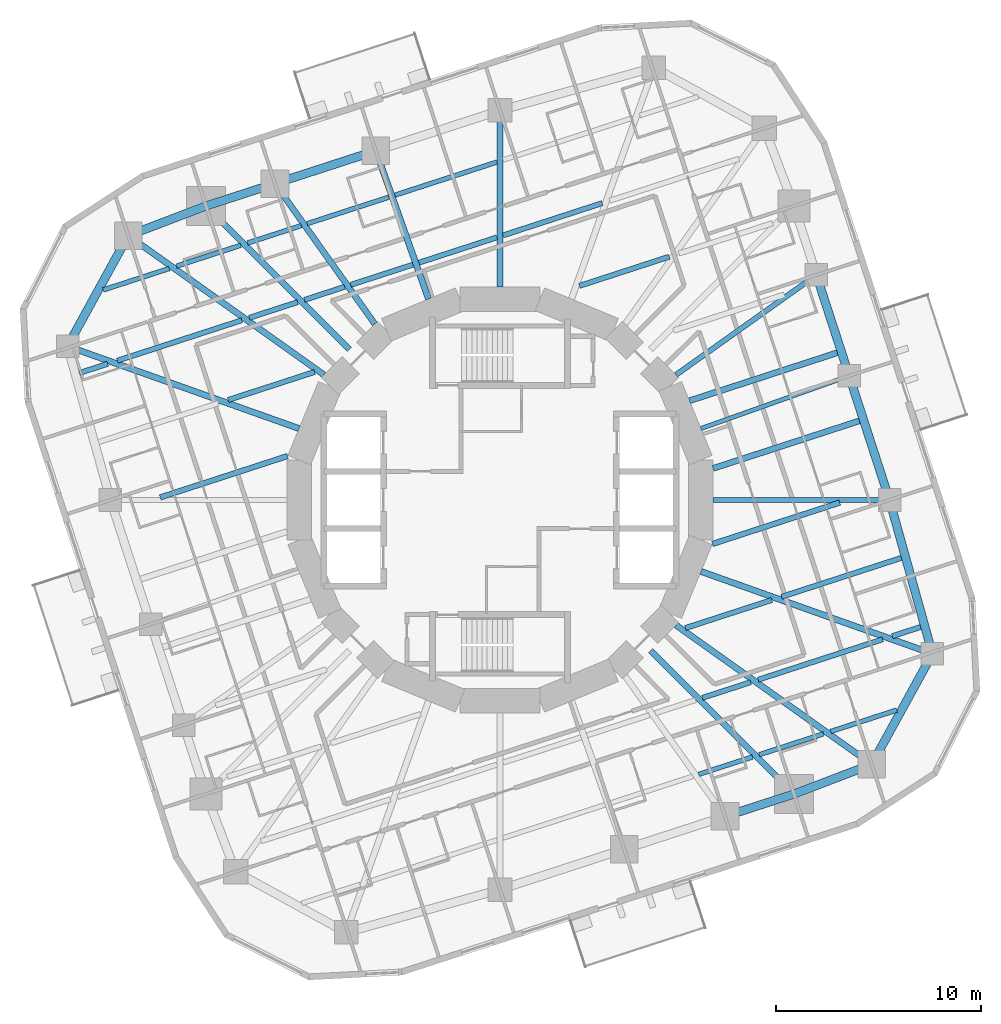
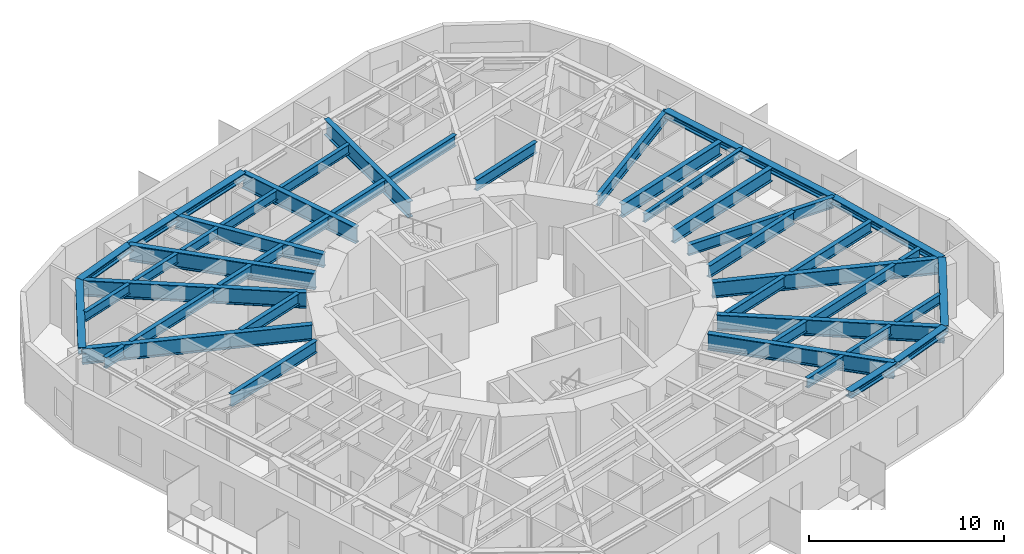
# One storey, part 2 of 12: 38 beams, 10 members.
"""IFC4 building model written with IfcOpenShell, lengths in metres."""

from ifc_helpers import new_model, si_unit, direction, frame, origin, origin_2d, place, context, subcontext, project, spatial, i_section, extrude, material, material_profile, profile_set, type_object, element, save


model = new_model("IFC4")

# Units and contexts
model_context = context("Model", 3, precision=1e-05, world=origin(), true_north=direction((0.0, 1.0)))
body_context = subcontext(model_context, "Body", "Model", "MODEL_VIEW")
ifc_project = project(units=[si_unit("LENGTHUNIT", "METRE"), si_unit("AREAUNIT", "SQUARE_METRE"), si_unit("VOLUMEUNIT", "CUBIC_METRE"), si_unit("PLANEANGLEUNIT", "RADIAN"), si_unit("MASSUNIT", "GRAM", prefix="KILO")], contexts=[model_context])

# Site, building, storey
site_placement = place(None, origin())
site = spatial("IfcSite", under=ifc_project, at=site_placement, CompositionType="ELEMENT")
building_placement = place(site_placement, origin())
building = spatial("IfcBuilding", under=site, at=building_placement, Name="Nakasero Lantern House", CompositionType="ELEMENT")
storey_placement = place(building_placement, frame((0.0, 0.0, 172.60009765625)))
storey = spatial("IfcBuildingStorey", under=building, at=storey_placement, Name="L42", CompositionType="ELEMENT", Elevation=172.60009765625)

# Members
ifc_material_1 = material(Name="Steel S355", Category="steel")
ifc_material_profile_1 = material_profile(ifc_material_1, i_section(OverallWidth=0.412109375, OverallDepth=0.4365234375, WebThickness=0.035888671875, FlangeThickness=0.05810546875, FilletRadius=0.01513671875, at=origin_2d()), Name="UC 356x406x467")
ifc_profile_set_1 = profile_set([ifc_material_profile_1], Name="Steel S355")
member_type = type_object("IfcMemberType", Name="Belt truss chord UC 356x406x467", PredefinedType="CHORD", material=ifc_profile_set_1)
member_1_placement = place(storey_placement, frame((18.1630859375, -12.916015625, 3.431640625), z_axis=(0.481261795861, 0.876576912681, 0.0), x_axis=(-0.876576912681, 0.481261795861, 0.0)))
element("IfcMember", 1, at=member_1_placement, inside=storey, type_object=member_type, Name="Belt truss bottom chord T4 B4-C01", PredefinedType="CHORD", context=body_context, shape_type="SweptSolid", body=[
    extrude(i_section(OverallWidth=0.412109375, OverallDepth=0.4365234375, WebThickness=0.035888671875, FlangeThickness=0.05810546875, FilletRadius=0.01513671875, at=origin_2d()), origin(), (0.0, 0.0, 1.0), 6.1640625),
])
member_2_placement = place(storey_placement, frame((21.129638671875, -7.5126953125, 3.431640625), z_axis=(-0.268986696047, 0.963143892339, 0.0), x_axis=(-0.963143892339, -0.268986696047, 0.0)))
element("IfcMember", 2, at=member_2_placement, inside=storey, type_object=member_type, Name="Belt truss bottom chord T4 B4-C02", PredefinedType="CHORD", context=body_context, shape_type="SweptSolid", body=[
    extrude(i_section(OverallWidth=0.412109375, OverallDepth=0.4365234375, WebThickness=0.035888671875, FlangeThickness=0.05810546875, FilletRadius=0.01513671875, at=origin_2d()), origin(), (0.0, 0.0, 1.0), 7.80029296875),
])
member_3_placement = place(storey_placement, frame((19.031494140625, 0.0, 3.431640625), z_axis=(-0.309018560274, 0.951056007502, 0.0), x_axis=(-0.951056007502, -0.309018560274, 0.0)))
element("IfcMember", 3, at=member_3_placement, inside=storey, type_object=member_type, Name="Belt truss bottom chord T4 B4-C03", PredefinedType="CHORD", context=body_context, shape_type="SweptSolid", body=[
    extrude(i_section(OverallWidth=0.412109375, OverallDepth=0.4365234375, WebThickness=0.035888671875, FlangeThickness=0.05810546875, FilletRadius=0.01513671875, at=origin_2d()), origin(), (0.0, 0.0, 1.0), 6.378173828125),
])
for number, where, z_axis, x_axis, name in (
    (4, (17.060546875, 6.06591796875, 3.431640625), (-0.309023207396, 0.95105449754, 0.0), (-0.95105449754, -0.309023207396, 0.0), "Belt truss bottom chord T4 B4-C04"),
    (5, (-6.06591796875, 17.060546875, 3.431640625), (-0.95105449754, -0.309023207396, 0.0), (0.309023207396, -0.95105449754, 0.0), "Belt truss bottom chord T4 B4-C10"),
):
    element("IfcMember", number, at=place(storey_placement, frame(where, z_axis=z_axis, x_axis=x_axis)), inside=storey, type_object=member_type, Name=name, PredefinedType="CHORD", context=body_context, shape_type="SweptSolid", body=[
        extrude(i_section(OverallWidth=0.412109375, OverallDepth=0.4365234375, WebThickness=0.035888671875, FlangeThickness=0.05810546875, FilletRadius=0.01513671875, at=origin_2d()), origin(), (0.0, 0.0, 1.0), 5.18115234375),
    ])
member_4_placement = place(storey_placement, frame((-10.993408203125, 15.45947265625, 3.431640625), z_axis=(-0.951059881727, -0.309006636447, 0.0), x_axis=(0.309006636447, -0.951059881727, 0.0)))
element("IfcMember", 6, at=member_4_placement, inside=storey, type_object=member_type, Name="Belt truss bottom chord T4 B4-C11", PredefinedType="CHORD", context=body_context, shape_type="SweptSolid", body=[
    extrude(i_section(OverallWidth=0.412109375, OverallDepth=0.4365234375, WebThickness=0.035888671875, FlangeThickness=0.05810546875, FilletRadius=0.01513671875, at=origin_2d()), origin(), (0.0, 0.0, 1.0), 3.544189453125),
])
member_5_placement = place(storey_placement, frame((-14.3642578125, 14.3642578125, 3.431640625), z_axis=(-0.934400186194, -0.35622505813, 0.0), x_axis=(0.35622505813, -0.934400186194, 0.0)))
element("IfcMember", 7, at=member_5_placement, inside=storey, type_object=member_type, Name="Belt truss bottom chord T4 B4-C12", PredefinedType="CHORD", context=body_context, shape_type="SweptSolid", body=[
    extrude(i_section(OverallWidth=0.412109375, OverallDepth=0.4365234375, WebThickness=0.035888671875, FlangeThickness=0.05810546875, FilletRadius=0.01513671875, at=origin_2d()), origin(), (0.0, 0.0, 1.0), 4.0654296875),
])
member_6_placement = place(storey_placement, frame((-18.1630859375, 12.916015625, 3.431640625), z_axis=(-0.481261795861, -0.876576912681, 0.0), x_axis=(0.876576912681, -0.481261795861, 0.0)))
element("IfcMember", 8, at=member_6_placement, inside=storey, type_object=member_type, Name="Belt truss bottom chord T4 B4-C13", PredefinedType="CHORD", context=body_context, shape_type="SweptSolid", body=[
    extrude(i_section(OverallWidth=0.412109375, OverallDepth=0.4365234375, WebThickness=0.035888671875, FlangeThickness=0.05810546875, FilletRadius=0.01513671875, at=origin_2d()), origin(), (0.0, 0.0, 1.0), 6.1640625),
])
member_7_placement = place(storey_placement, frame((10.993408203125, -15.45947265625, 3.431640625), z_axis=(0.951059881727, 0.309006636447, 0.0), x_axis=(-0.309006636447, 0.951059881727, 0.0)))
element("IfcMember", 9, at=member_7_placement, inside=storey, type_object=member_type, Name="Belt truss bottom chord T4 B4-C23", PredefinedType="CHORD", context=body_context, shape_type="SweptSolid", body=[
    extrude(i_section(OverallWidth=0.412109375, OverallDepth=0.4365234375, WebThickness=0.035888671875, FlangeThickness=0.05810546875, FilletRadius=0.01513671875, at=origin_2d()), origin(), (0.0, 0.0, 1.0), 3.544189453125),
])
member_8_placement = place(storey_placement, frame((14.3642578125, -14.3642578125, 3.431640625), z_axis=(0.934400186194, 0.35622505813, 0.0), x_axis=(-0.35622505813, 0.934400186194, 0.0)))
element("IfcMember", 10, at=member_8_placement, inside=storey, type_object=member_type, Name="Belt truss bottom chord T4 B4-C24", PredefinedType="CHORD", context=body_context, shape_type="SweptSolid", body=[
    extrude(i_section(OverallWidth=0.412109375, OverallDepth=0.4365234375, WebThickness=0.035888671875, FlangeThickness=0.05810546875, FilletRadius=0.01513671875, at=origin_2d()), origin(), (0.0, 0.0, 1.0), 4.0654296875),
])

# Beams
ifc_material_2 = material(Name="Steel S355", Category="steel")
ifc_material_profile_2 = material_profile(ifc_material_2, i_section(OverallWidth=0.22900390625, OverallDepth=0.6123046875, WebThickness=0.011962890625, FlangeThickness=0.01953125, FilletRadius=0.0126953125, at=origin_2d()), Name="UB 610x229x125")
ifc_profile_set_2 = profile_set([ifc_material_profile_2], Name="Steel S355")
beam_type_1 = type_object("IfcBeamType", Name="Infill beam UB 610x229x125", PredefinedType="JOIST", material=ifc_profile_set_2)
beam_1_placement = place(storey_placement, frame((9.7119140625, -13.405029296875, 3.34375), z_axis=(0.951045121564, 0.309052061552, 0.0), x_axis=(-0.309052061552, 0.951045121564, 0.0)))
element("IfcBeam", 11, at=beam_1_placement, inside=storey, type_object=beam_type_1, Name="Infill beam L43 03.5", PredefinedType="JOIST", context=body_context, shape_type="SweptSolid", body=[
    extrude(i_section(OverallWidth=0.22900390625, OverallDepth=0.6123046875, WebThickness=0.011962890625, FlangeThickness=0.01953125, FilletRadius=0.0126953125, at=origin_2d()), origin(), (0.0, 0.0, 1.0), 2.75927734375),
])
beam_2_placement = place(storey_placement, frame((12.662353515625, -12.4462890625, 3.34375), z_axis=(0.951055771678, 0.309019286062, 0.0), x_axis=(-0.309019286062, 0.951055771678, 0.0)))
element("IfcBeam", 12, at=beam_2_placement, inside=storey, type_object=beam_type_1, Name="Infill beam L43 03.6", PredefinedType="JOIST", context=body_context, shape_type="SweptSolid", body=[
    extrude(i_section(OverallWidth=0.22900390625, OverallDepth=0.6123046875, WebThickness=0.011962890625, FlangeThickness=0.01953125, FilletRadius=0.0126953125, at=origin_2d()), origin(), (0.0, 0.0, 1.0), 3.306396484375),
])
for number, where, z_axis, x_axis, name in (
    (13, (16.162353515625, -11.30908203125, 3.34375), (0.951062125185, 0.308999731454, 0.0), (-0.308999731454, 0.951062125185, 0.0), "Infill beam L43 03.7"),
    (14, (-19.38525390625, 10.261962890625, 3.34375), (0.951062125185, 0.308999731454, 0.0), (-0.308999731454, 0.951062125185, 0.0), "Infill beam L43 12.1"),
):
    element("IfcBeam", number, at=place(storey_placement, frame(where, z_axis=z_axis, x_axis=x_axis)), inside=storey, type_object=beam_type_1, Name=name, PredefinedType="JOIST", context=body_context, shape_type="SweptSolid", body=[
        extrude(i_section(OverallWidth=0.22900390625, OverallDepth=0.6123046875, WebThickness=0.011962890625, FlangeThickness=0.01953125, FilletRadius=0.0126953125, at=origin_2d()), origin(), (0.0, 0.0, 1.0), 3.388671875),
    ])
beam_3_placement = place(storey_placement, frame((-15.806884765625, 11.424560546875, 3.34375), z_axis=(0.951055771678, 0.309019286062, 0.0), x_axis=(-0.309019286062, 0.951055771678, 0.0)))
element("IfcBeam", 15, at=beam_3_placement, inside=storey, type_object=beam_type_1, Name="Infill beam L43 12.2", PredefinedType="JOIST", context=body_context, shape_type="SweptSolid", body=[
    extrude(i_section(OverallWidth=0.22900390625, OverallDepth=0.6123046875, WebThickness=0.011962890625, FlangeThickness=0.01953125, FilletRadius=0.0126953125, at=origin_2d()), origin(), (0.0, 0.0, 1.0), 3.306396484375),
])
beam_4_placement = place(storey_placement, frame((-12.336181640625, 12.55224609375, 3.34375), z_axis=(0.951045121564, 0.309052061552, 0.0), x_axis=(-0.309052061552, 0.951045121564, 0.0)))
element("IfcBeam", 16, at=beam_4_placement, inside=storey, type_object=beam_type_1, Name="Infill beam L43 12.3", PredefinedType="JOIST", context=body_context, shape_type="SweptSolid", body=[
    extrude(i_section(OverallWidth=0.22900390625, OverallDepth=0.6123046875, WebThickness=0.011962890625, FlangeThickness=0.01953125, FilletRadius=0.0126953125, at=origin_2d()), origin(), (0.0, 0.0, 1.0), 2.75927734375),
])
beam_5_placement = place(storey_placement, frame((-9.42041015625, 13.499755859375, 3.34375), z_axis=(0.951060098043, 0.309005970671, 0.0), x_axis=(-0.309005970671, 0.951060098043, 0.0)))
element("IfcBeam", 17, at=beam_5_placement, inside=storey, type_object=beam_type_1, Name="Infill beam L43 12.4", PredefinedType="JOIST", context=body_context, shape_type="SweptSolid", body=[
    extrude(i_section(OverallWidth=0.22900390625, OverallDepth=0.6123046875, WebThickness=0.011962890625, FlangeThickness=0.01953125, FilletRadius=0.0126953125, at=origin_2d()), origin(), (0.0, 0.0, 1.0), 4.2041015625),
])
beam_6_placement = place(storey_placement, frame((-5.134765625, 14.89208984375, 3.34375), z_axis=(0.951059395916, 0.309008131673, 0.0), x_axis=(-0.309008131673, 0.951059395916, 0.0)))
element("IfcBeam", 18, at=beam_6_placement, inside=storey, type_object=beam_type_1, Name="Infill beam L43 12.5", PredefinedType="JOIST", context=body_context, shape_type="SweptSolid", body=[
    extrude(i_section(OverallWidth=0.22900390625, OverallDepth=0.6123046875, WebThickness=0.011962890625, FlangeThickness=0.01953125, FilletRadius=0.0126953125, at=origin_2d()), origin(), (0.0, 0.0, 1.0), 5.241455078125),
])
ifc_material_3 = material(Name="Steel S355", Category="steel")
ifc_material_profile_3 = material_profile(ifc_material_3, i_section(OverallWidth=0.253662109375, OverallDepth=0.68359375, WebThickness=0.012451171875, FlangeThickness=0.01904296875, FilletRadius=0.01513671875, at=origin_2d()), Name="UB 686x254x140")
ifc_profile_set_3 = profile_set([ifc_material_profile_3], Name="Steel S355")
beam_type_2 = type_object("IfcBeamType", Name="Infill beam UB 686x254x140", PredefinedType="JOIST", material=ifc_profile_set_3)
beam_7_placement = place(storey_placement, frame((9.884765625, -9.668701171875, 3.30810546875), z_axis=(0.951065741095, 0.308988601917, 0.0), x_axis=(-0.308988601917, 0.951065741095, 0.0)))
element("IfcBeam", 19, at=beam_7_placement, inside=storey, type_object=beam_type_2, Name="Infill beam L43 04.6", PredefinedType="JOIST", context=body_context, shape_type="SweptSolid", body=[
    extrude(i_section(OverallWidth=0.253662109375, OverallDepth=0.68359375, WebThickness=0.012451171875, FlangeThickness=0.01904296875, FilletRadius=0.01513671875, at=origin_2d()), origin(), (0.0, 0.0, 1.0), 2.491943359375),
])
beam_8_placement = place(storey_placement, frame((12.610107421875, -8.783203125, 3.30810546875), z_axis=(0.951052575946, 0.309029121259, 0.0), x_axis=(-0.309029121259, 0.951052575946, 0.0)))
element("IfcBeam", 20, at=beam_8_placement, inside=storey, type_object=beam_type_2, Name="Infill beam L43 04.7", PredefinedType="JOIST", context=body_context, shape_type="SweptSolid", body=[
    extrude(i_section(OverallWidth=0.253662109375, OverallDepth=0.68359375, WebThickness=0.012451171875, FlangeThickness=0.01904296875, FilletRadius=0.01513671875, at=origin_2d()), origin(), (0.0, 0.0, 1.0), 6.397705078125),
])
for number, where, z_axis, x_axis, name in (
    (21, (19.16259765625, -6.654052734375, 3.30810546875), (0.951082021837, 0.308938485362, 0.0), (-0.308938485362, 0.951082021837, 0.0), "Infill beam L43 04.8"),
    (22, (-20.550048828125, 6.203369140625, 3.30810546875), (0.951082021837, 0.308938485362, 0.0), (-0.308938485362, 0.951082021837, 0.0), "Infill beam L43 11.1"),
):
    element("IfcBeam", number, at=place(storey_placement, frame(where, z_axis=z_axis, x_axis=x_axis)), inside=storey, type_object=beam_type_2, Name=name, PredefinedType="JOIST", context=body_context, shape_type="SweptSolid", body=[
        extrude(i_section(OverallWidth=0.253662109375, OverallDepth=0.68359375, WebThickness=0.012451171875, FlangeThickness=0.01904296875, FilletRadius=0.01513671875, at=origin_2d()), origin(), (0.0, 0.0, 1.0), 1.458740234375),
    ])
beam_9_placement = place(storey_placement, frame((-18.694580078125, 6.80615234375, 3.30810546875), z_axis=(0.951052575946, 0.309029121259, 0.0), x_axis=(-0.309029121259, 0.951052575946, 0.0)))
element("IfcBeam", 23, at=beam_9_placement, inside=storey, type_object=beam_type_2, Name="Infill beam L43 11.2", PredefinedType="JOIST", context=body_context, shape_type="SweptSolid", body=[
    extrude(i_section(OverallWidth=0.253662109375, OverallDepth=0.68359375, WebThickness=0.012451171875, FlangeThickness=0.01904296875, FilletRadius=0.01513671875, at=origin_2d()), origin(), (0.0, 0.0, 1.0), 6.397705078125),
])
beam_10_placement = place(storey_placement, frame((-12.2548828125, 8.898681640625, 3.30810546875), z_axis=(0.951065741095, 0.308988601917, 0.0), x_axis=(-0.308988601917, 0.951065741095, 0.0)))
element("IfcBeam", 24, at=beam_10_placement, inside=storey, type_object=beam_type_2, Name="Infill beam L43 11.3", PredefinedType="JOIST", context=body_context, shape_type="SweptSolid", body=[
    extrude(i_section(OverallWidth=0.253662109375, OverallDepth=0.68359375, WebThickness=0.012451171875, FlangeThickness=0.01904296875, FilletRadius=0.01513671875, at=origin_2d()), origin(), (0.0, 0.0, 1.0), 2.491943359375),
])
beam_11_placement = place(storey_placement, frame((-9.55859375, 9.774658203125, 3.30810546875), z_axis=(0.951068662766, 0.308979608881, 0.0), x_axis=(-0.308979608881, 0.951068662766, 0.0)))
element("IfcBeam", 25, at=beam_11_placement, inside=storey, type_object=beam_type_2, Name="Infill beam L43 11.4", PredefinedType="JOIST", context=body_context, shape_type="SweptSolid", body=[
    extrude(i_section(OverallWidth=0.253662109375, OverallDepth=0.68359375, WebThickness=0.012451171875, FlangeThickness=0.01904296875, FilletRadius=0.01513671875, at=origin_2d()), origin(), (0.0, 0.0, 1.0), 2.07421875),
])
beam_12_placement = place(storey_placement, frame((-7.294677734375, 10.51025390625, 3.30810546875), z_axis=(0.951064877985, 0.308991258555, 0.0), x_axis=(-0.308991258555, 0.951064877985, 0.0)))
element("IfcBeam", 26, at=beam_12_placement, inside=storey, type_object=beam_type_2, Name="Infill beam L43 11.5", PredefinedType="JOIST", context=body_context, shape_type="SweptSolid", body=[
    extrude(i_section(OverallWidth=0.253662109375, OverallDepth=0.68359375, WebThickness=0.012451171875, FlangeThickness=0.01904296875, FilletRadius=0.01513671875, at=origin_2d()), origin(), (0.0, 0.0, 1.0), 3.202392578125),
])
beam_13_placement = place(storey_placement, frame((-3.961669921875, 11.59326171875, 3.30810546875), z_axis=(0.951056001018, 0.309018580232, 0.0), x_axis=(-0.309018580232, 0.951056001018, 0.0)))
element("IfcBeam", 27, at=beam_13_placement, inside=storey, type_object=beam_type_2, Name="Infill beam L43 11.6", PredefinedType="JOIST", context=body_context, shape_type="SweptSolid", body=[
    extrude(i_section(OverallWidth=0.253662109375, OverallDepth=0.68359375, WebThickness=0.012451171875, FlangeThickness=0.01904296875, FilletRadius=0.01513671875, at=origin_2d()), origin(), (0.0, 0.0, 1.0), 4.0078125),
])
beam_14_placement = place(storey_placement, frame((0.14990234375, 12.92919921875, 3.30810546875), z_axis=(0.951055536711, 0.309020009209, 0.0), x_axis=(-0.309020009209, 0.951055536711, 0.0)))
element("IfcBeam", 28, at=beam_14_placement, inside=storey, type_object=beam_type_2, Name="Infill beam L43 11.7", PredefinedType="JOIST", context=body_context, shape_type="SweptSolid", body=[
    extrude(i_section(OverallWidth=0.253662109375, OverallDepth=0.68359375, WebThickness=0.012451171875, FlangeThickness=0.01904296875, FilletRadius=0.01513671875, at=origin_2d()), origin(), (0.0, 0.0, 1.0), 5.097412109375),
])
ifc_material_4 = material(Name="Steel S355", Category="steel")
ifc_material_profile_4 = material_profile(ifc_material_4, i_section(OverallWidth=0.255859375, OverallDepth=0.69287109375, WebThickness=0.014404296875, FlangeThickness=0.023681640625, FilletRadius=0.01513671875, at=origin_2d()), Name="UB 686x254x170")
ifc_profile_set_4 = profile_set([ifc_material_profile_4], Name="Steel S355")
beam_type_3 = type_object("IfcBeamType", Name="Infill beam UB 686x254x170", PredefinedType="JOIST", material=ifc_profile_set_4)
beam_15_placement = place(storey_placement, frame((9.05810546875, -6.257080078125, 3.303466796875), z_axis=(0.951061103177, 0.309002877047, 0.0), x_axis=(-0.309002877047, 0.951061103177, 0.0)))
element("IfcBeam", 29, at=beam_15_placement, inside=storey, type_object=beam_type_3, Name="Infill beam L43 05.3", PredefinedType="JOIST", context=body_context, shape_type="SweptSolid", body=[
    extrude(i_section(OverallWidth=0.255859375, OverallDepth=0.69287109375, WebThickness=0.014404296875, FlangeThickness=0.023681640625, FilletRadius=0.01513671875, at=origin_2d()), origin(), (0.0, 0.0, 1.0), 4.44580078125),
])
beam_16_placement = place(storey_placement, frame((13.75439453125, -4.731201171875, 3.303466796875), z_axis=(0.95105593008, 0.309018798554, 0.0), x_axis=(-0.309018798554, 0.95105593008, 0.0)))
element("IfcBeam", 30, at=beam_16_placement, inside=storey, type_object=beam_type_3, Name="Infill beam L43 05.4", PredefinedType="JOIST", context=body_context, shape_type="SweptSolid", body=[
    extrude(i_section(OverallWidth=0.255859375, OverallDepth=0.69287109375, WebThickness=0.014404296875, FlangeThickness=0.023681640625, FilletRadius=0.01513671875, at=origin_2d()), origin(), (0.0, 0.0, 1.0), 6.154541015625),
])
beam_17_placement = place(storey_placement, frame((-13.286376953125, 4.88330078125, 3.303466796875), z_axis=(0.951061103177, 0.309002877047, 0.0), x_axis=(-0.309002877047, 0.951061103177, 0.0)))
element("IfcBeam", 31, at=beam_17_placement, inside=storey, type_object=beam_type_3, Name="Infill beam L43 10.2", PredefinedType="JOIST", context=body_context, shape_type="SweptSolid", body=[
    extrude(i_section(OverallWidth=0.255859375, OverallDepth=0.69287109375, WebThickness=0.014404296875, FlangeThickness=0.023681640625, FilletRadius=0.01513671875, at=origin_2d()), origin(), (0.0, 0.0, 1.0), 4.44580078125),
])
beam_18_placement = place(storey_placement, frame((3.87841796875, 10.46044921875, 3.303466796875), z_axis=(0.95105890485, 0.309009643063, 0.0), x_axis=(-0.309009643063, 0.95105890485, 0.0)))
element("IfcBeam", 32, at=beam_18_placement, inside=storey, type_object=beam_type_3, Name="Infill beam L43 10.3", PredefinedType="JOIST", context=body_context, shape_type="SweptSolid", body=[
    extrude(i_section(OverallWidth=0.255859375, OverallDepth=0.69287109375, WebThickness=0.014404296875, FlangeThickness=0.023681640625, FilletRadius=0.01513671875, at=origin_2d()), origin(), (0.0, 0.0, 1.0), 4.622802734375),
])
ifc_material_5 = material(Name="Steel S355", Category="steel")
ifc_material_profile_5 = material_profile(ifc_material_5, i_section(OverallWidth=0.2666015625, OverallDepth=0.76220703125, WebThickness=0.014404296875, FlangeThickness=0.021484375, FilletRadius=0.0166015625, at=origin_2d()), Name="UB 762x267x173")
ifc_profile_set_5 = profile_set([ifc_material_profile_5], Name="Steel S355")
beam_type_4 = type_object("IfcBeamType", Name="Infill beam UB 762x267x173", PredefinedType="JOIST", material=ifc_profile_set_5)
for number, where, z_axis, x_axis, name in (
    (33, (10.375244140625, -2.149169921875, 3.268798828125), (0.951054903359, 0.309021958439, 0.0), (-0.309021958439, 0.951054903359, 0.0), "Infill beam L43 06.2"),
    (34, (-16.598876953125, 0.126953125, 3.268798828125), (0.951054903359, 0.309021958439, 0.0), (-0.309021958439, 0.951054903359, 0.0), "Infill beam L43 09.1"),
):
    element("IfcBeam", number, at=place(storey_placement, frame(where, z_axis=z_axis, x_axis=x_axis)), inside=storey, type_object=beam_type_4, Name=name, PredefinedType="JOIST", context=body_context, shape_type="SweptSolid", body=[
        extrude(i_section(OverallWidth=0.2666015625, OverallDepth=0.76220703125, WebThickness=0.014404296875, FlangeThickness=0.021484375, FilletRadius=0.0166015625, at=origin_2d()), origin(), (0.0, 0.0, 1.0), 6.5439453125),
    ])
ifc_material_6 = material(Name="Steel S355", Category="steel")
ifc_material_profile_6 = material_profile(ifc_material_6, i_section(OverallWidth=0.29248046875, OverallDepth=0.8408203125, WebThickness=0.0146484375, FlangeThickness=0.02685546875, FilletRadius=0.017822265625, at=origin_2d()), Name="UB 838x292x194")
ifc_profile_set_6 = profile_set([ifc_material_profile_6], Name="Steel S355")
beam_type_5 = type_object("IfcBeamType", Name="Infill beam UB 838x292x194", PredefinedType="JOIST", material=ifc_profile_set_6)
beam_19_placement = place(storey_placement, frame((10.407958984375, 1.541748046875, 3.2294921875), z_axis=(0.951055541997, 0.309019992939, 0.0), x_axis=(-0.309019992939, 0.951055541997, 0.0)))
element("IfcBeam", 35, at=beam_19_placement, inside=storey, type_object=beam_type_5, Name="Infill beam L43 07.2", PredefinedType="JOIST", context=body_context, shape_type="SweptSolid", body=[
    extrude(i_section(OverallWidth=0.29248046875, OverallDepth=0.8408203125, WebThickness=0.0146484375, FlangeThickness=0.02685546875, FilletRadius=0.017822265625, at=origin_2d()), origin(), (0.0, 0.0, 1.0), 7.518798828125),
])
beam_20_placement = place(storey_placement, frame((9.25732421875, 4.847900390625, 3.2294921875), z_axis=(0.951055100236, 0.309021352523, 0.0), x_axis=(-0.309021352523, 0.951055100236, 0.0)))
element("IfcBeam", 36, at=beam_20_placement, inside=storey, type_object=beam_type_5, Name="Infill beam L43 08.2", PredefinedType="JOIST", context=body_context, shape_type="SweptSolid", body=[
    extrude(i_section(OverallWidth=0.29248046875, OverallDepth=0.8408203125, WebThickness=0.0146484375, FlangeThickness=0.02685546875, FilletRadius=0.017822265625, at=origin_2d()), origin(), (0.0, 0.0, 1.0), 7.591552734375),
])
ifc_material_7 = material(Name="Steel S355", Category="steel")
ifc_material_profile_7 = material_profile(ifc_material_7, i_section(OverallWidth=0.300048828125, OverallDepth=0.97998046875, WebThickness=0.0166015625, FlangeThickness=0.02587890625, FilletRadius=0.030029296875, at=origin_2d()), Name="UB 1016x305x249")
ifc_profile_set_7 = profile_set([ifc_material_profile_7], Name="Steel S355")
beam_type_6 = type_object("IfcBeamType", Name="Primary beam UB 1016x305x249, span 12 to 15 m", PredefinedType="BEAM", material=ifc_profile_set_7)
for number, where, z_axis, x_axis, name in (
    (37, (21.129638671875, -7.5126953125, 3.159912109375), (-0.942213548974, 0.335012877559, 0.0), (-0.335012877559, -0.942213548974, 0.0), "Primary beam L43 B4-C02"),
    (38, (-21.129638671875, 7.5126953125, 3.159912109375), (0.942213548974, -0.335012877559, 0.0), (0.335012877559, 0.942213548974, 0.0), "Primary beam L43 B4-C14"),
):
    element("IfcBeam", number, at=place(storey_placement, frame(where, z_axis=z_axis, x_axis=x_axis)), inside=storey, type_object=beam_type_6, Name=name, PredefinedType="BEAM", context=body_context, shape_type="SweptSolid", body=[
        extrude(i_section(OverallWidth=0.300048828125, OverallDepth=0.97998046875, WebThickness=0.0166015625, FlangeThickness=0.02587890625, FilletRadius=0.030029296875, at=origin_2d()), origin(), (0.0, 0.0, 1.0), 12.00390625),
    ])
ifc_material_8 = material(Name="Steel S355", Category="steel")
ifc_material_profile_8 = material_profile(ifc_material_8, i_section(OverallWidth=0.300048828125, OverallDepth=1.0, WebThickness=0.01904296875, FlangeThickness=0.035888671875, FilletRadius=0.030029296875, at=origin_2d()), Name="UB 1016x305x314")
ifc_profile_set_8 = profile_set([ifc_material_profile_8], Name="Steel S355")
beam_type_7 = type_object("IfcBeamType", Name="Primary beam UB 1016x305x314, span 6 to 9 m", PredefinedType="BEAM", material=ifc_profile_set_8)
beam_21_placement = place(storey_placement, frame((0.0, 19.031494140625, 3.14990234375), z_axis=(0.0, -1.0, 0.0), x_axis=(1.0, 0.0, 0.0)))
element("IfcBeam", 39, at=beam_21_placement, inside=storey, type_object=beam_type_7, Name="Primary beam L43 B4-C09", PredefinedType="BEAM", context=body_context, shape_type="SweptSolid", body=[
    extrude(i_section(OverallWidth=0.300048828125, OverallDepth=1.0, WebThickness=0.01904296875, FlangeThickness=0.035888671875, FilletRadius=0.030029296875, at=origin_2d()), origin(), (0.0, 0.0, 1.0), 8.62353515625),
])
ifc_material_9 = material(Name="Steel S355", Category="steel")
ifc_material_profile_9 = material_profile(ifc_material_9, i_section(OverallWidth=0.300048828125, OverallDepth=1.0, WebThickness=0.01904296875, FlangeThickness=0.035888671875, FilletRadius=0.030029296875, at=origin_2d()), Name="UB 1016x305x314")
ifc_profile_set_9 = profile_set([ifc_material_profile_9], Name="Steel S355")
beam_type_8 = type_object("IfcBeamType", Name="Primary beam UB 1016x305x314, span 9 to 12 m", PredefinedType="BEAM", material=ifc_profile_set_9)
for number, where, z_axis, x_axis, name in (
    (40, (18.1630859375, -12.916015625, 3.14990234375), (-0.814950738075, 0.579530236062, 0.0), (-0.579530236062, -0.814950738075, 0.0), "Primary beam L43 B4-C01"),
    (41, (-18.1630859375, 12.916015625, 3.14990234375), (0.814950738075, -0.579530236062, 0.0), (0.579530236062, 0.814950738075, 0.0), "Primary beam L43 B4-C13"),
):
    element("IfcBeam", number, at=place(storey_placement, frame(where, z_axis=z_axis, x_axis=x_axis)), inside=storey, type_object=beam_type_8, Name=name, PredefinedType="BEAM", context=body_context, shape_type="SweptSolid", body=[
        extrude(i_section(OverallWidth=0.300048828125, OverallDepth=1.0, WebThickness=0.01904296875, FlangeThickness=0.035888671875, FilletRadius=0.030029296875, at=origin_2d()), origin(), (0.0, 0.0, 1.0), 11.73193359375),
    ])
ifc_material_10 = material(Name="Steel S355", Category="steel")
ifc_material_profile_10 = material_profile(ifc_material_10, i_section(OverallWidth=0.302001953125, OverallDepth=1.008056640625, WebThickness=0.02099609375, FlangeThickness=0.0400390625, FilletRadius=0.030029296875, at=origin_2d()), Name="UB 1016x305x349")
ifc_profile_set_10 = profile_set([ifc_material_profile_10], Name="Steel S355")
beam_type_9 = type_object("IfcBeamType", Name="Primary beam UB 1016x305x349, span 6 to 9 m", PredefinedType="BEAM", material=ifc_profile_set_10)
beam_22_placement = place(storey_placement, frame((-6.06591796875, 17.060546875, 3.145751953125), z_axis=(0.335015934723, -0.942212461965, 0.0), x_axis=(0.942212461965, 0.335015934723, 0.0)))
element("IfcBeam", 42, at=beam_22_placement, inside=storey, type_object=beam_type_9, Name="Primary beam L43 B4-C10", PredefinedType="BEAM", context=body_context, shape_type="SweptSolid", body=[
    extrude(i_section(OverallWidth=0.302001953125, OverallDepth=1.008056640625, WebThickness=0.02099609375, FlangeThickness=0.0400390625, FilletRadius=0.030029296875, at=origin_2d()), origin(), (0.0, 0.0, 1.0), 7.685302734375),
])
ifc_material_11 = material(Name="Steel S355", Category="steel")
ifc_material_profile_11 = material_profile(ifc_material_11, i_section(OverallWidth=0.305419921875, OverallDepth=1.026123046875, WebThickness=0.02685546875, FlangeThickness=0.049072265625, FilletRadius=0.030029296875, at=origin_2d()), Name="UB 1016x305x437")
ifc_profile_set_11 = profile_set([ifc_material_profile_11], Name="Steel S355")
beam_type_10 = type_object("IfcBeamType", Name="Primary beam UB 1016x305x437, span 9 to 12 m", PredefinedType="BEAM", material=ifc_profile_set_11)
for number, where, z_axis, x_axis, name in (
    (43, (-14.3642578125, 14.3642578125, 3.136962890625), (0.707106781187, -0.707106781187, 0.0), (0.707106781187, 0.707106781187, 0.0), "Primary beam L43 B4-C12"),
    (44, (14.3642578125, -14.3642578125, 3.136962890625), (-0.707106781187, 0.707106781187, 0.0), (-0.707106781187, -0.707106781187, 0.0), "Primary beam L43 B4-C24"),
):
    element("IfcBeam", number, at=place(storey_placement, frame(where, z_axis=z_axis, x_axis=x_axis)), inside=storey, type_object=beam_type_10, Name=name, PredefinedType="BEAM", context=body_context, shape_type="SweptSolid", body=[
        extrude(i_section(OverallWidth=0.305419921875, OverallDepth=1.026123046875, WebThickness=0.02685546875, FlangeThickness=0.049072265625, FilletRadius=0.030029296875, at=origin_2d()), origin(), (0.0, 0.0, 1.0), 9.906494140625),
    ])
ifc_material_12 = material(Name="Steel S355", Category="steel")
ifc_material_profile_12 = material_profile(ifc_material_12, i_section(OverallWidth=0.2099609375, OverallDepth=0.53662109375, WebThickness=0.0107421875, FlangeThickness=0.017333984375, FilletRadius=0.0126953125, at=origin_2d()), Name="UB 533x210x101")
ifc_profile_set_12 = profile_set([ifc_material_profile_12], Name="Steel S355")
beam_type_11 = type_object("IfcBeamType", Name="Primary beam UB 533x210x101, span 6 to 9 m", PredefinedType="BEAM", material=ifc_profile_set_12)
beam_23_placement = place(storey_placement, frame((17.060546875, 6.06591796875, 3.381591796875), z_axis=(-0.942212461965, -0.335015934723, 0.0), x_axis=(0.335015934723, -0.942212461965, 0.0)))
element("IfcBeam", 45, at=beam_23_placement, inside=storey, type_object=beam_type_11, Name="Primary beam L43 B4-C04", PredefinedType="BEAM", context=body_context, shape_type="SweptSolid", body=[
    extrude(i_section(OverallWidth=0.2099609375, OverallDepth=0.53662109375, WebThickness=0.0107421875, FlangeThickness=0.017333984375, FilletRadius=0.0126953125, at=origin_2d()), origin(), (0.0, 0.0, 1.0), 7.685302734375),
])
ifc_material_13 = material(Name="Steel S355", Category="steel")
ifc_material_profile_13 = material_profile(ifc_material_13, i_section(OverallWidth=0.253662109375, OverallDepth=0.68359375, WebThickness=0.012451171875, FlangeThickness=0.01904296875, FilletRadius=0.01513671875, at=origin_2d()), Name="UB 686x254x140")
ifc_profile_set_13 = profile_set([ifc_material_profile_13], Name="Steel S355")
beam_type_12 = type_object("IfcBeamType", Name="Primary beam UB 686x254x140, span 6 to 9 m", PredefinedType="BEAM", material=ifc_profile_set_13)
beam_24_placement = place(storey_placement, frame((19.031494140625, 0.0, 3.30810546875), z_axis=(-1.0, 0.0, 0.0), x_axis=(0.0, -1.0, 0.0)))
element("IfcBeam", 46, at=beam_24_placement, inside=storey, type_object=beam_type_12, Name="Primary beam L43 B4-C03", PredefinedType="BEAM", context=body_context, shape_type="SweptSolid", body=[
    extrude(i_section(OverallWidth=0.253662109375, OverallDepth=0.68359375, WebThickness=0.012451171875, FlangeThickness=0.01904296875, FilletRadius=0.01513671875, at=origin_2d()), origin(), (0.0, 0.0, 1.0), 8.62353515625),
])
ifc_material_14 = material(Name="Steel S355", Category="steel")
ifc_material_profile_14 = material_profile(ifc_material_14, i_section(OverallWidth=0.255859375, OverallDepth=0.69287109375, WebThickness=0.014404296875, FlangeThickness=0.023681640625, FilletRadius=0.01513671875, at=origin_2d()), Name="UB 686x254x170")
ifc_profile_set_14 = profile_set([ifc_material_profile_14], Name="Steel S355")
beam_type_13 = type_object("IfcBeamType", Name="Primary beam UB 686x254x170, span 6 to 9 m", PredefinedType="BEAM", material=ifc_profile_set_14)
beam_25_placement = place(storey_placement, frame((15.45947265625, 10.993408203125, 3.303466796875), z_axis=(-0.81495106139, -0.579529781409, 0.0), x_axis=(0.579529781409, -0.81495106139, 0.0)))
element("IfcBeam", 47, at=beam_25_placement, inside=storey, type_object=beam_type_13, Name="Primary beam L43 B4-C05", PredefinedType="BEAM", context=body_context, shape_type="SweptSolid", body=[
    extrude(i_section(OverallWidth=0.255859375, OverallDepth=0.69287109375, WebThickness=0.014404296875, FlangeThickness=0.023681640625, FilletRadius=0.01513671875, at=origin_2d()), origin(), (0.0, 0.0, 1.0), 8.41455078125),
])
ifc_material_15 = material(Name="Steel S355", Category="steel")
ifc_material_profile_15 = material_profile(ifc_material_15, i_section(OverallWidth=0.29248046875, OverallDepth=0.8408203125, WebThickness=0.0146484375, FlangeThickness=0.02685546875, FilletRadius=0.017822265625, at=origin_2d()), Name="UB 838x292x194")
ifc_profile_set_15 = profile_set([ifc_material_profile_15], Name="Steel S355")
beam_type_14 = type_object("IfcBeamType", Name="Primary beam UB 838x292x194, span 6 to 9 m", PredefinedType="BEAM", material=ifc_profile_set_15)
beam_26_placement = place(storey_placement, frame((-10.993408203125, 15.45947265625, 3.2294921875), z_axis=(0.579529781409, -0.81495106139, 0.0), x_axis=(0.81495106139, 0.579529781409, 0.0)))
element("IfcBeam", 48, at=beam_26_placement, inside=storey, type_object=beam_type_14, Name="Primary beam L43 B4-C11", PredefinedType="BEAM", context=body_context, shape_type="SweptSolid", body=[
    extrude(i_section(OverallWidth=0.29248046875, OverallDepth=0.8408203125, WebThickness=0.0146484375, FlangeThickness=0.02685546875, FilletRadius=0.017822265625, at=origin_2d()), origin(), (0.0, 0.0, 1.0), 8.41455078125),
])

save(model, "model.ifc")
